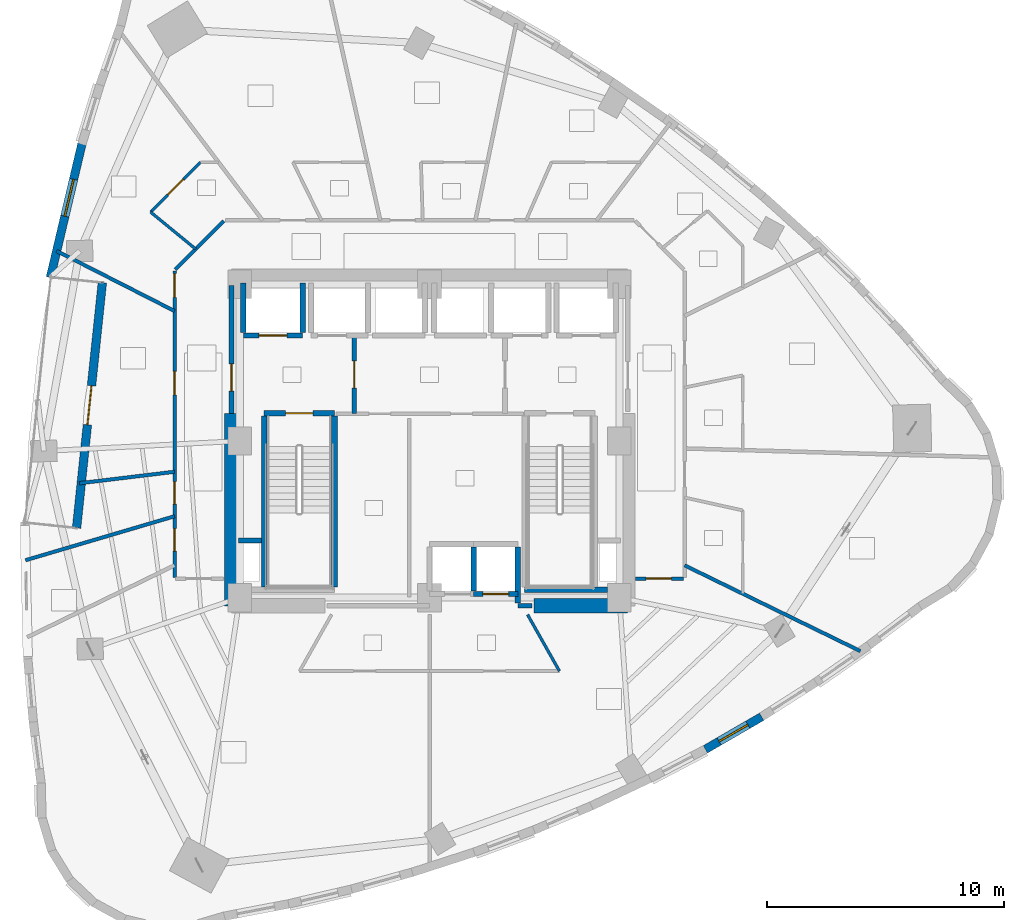
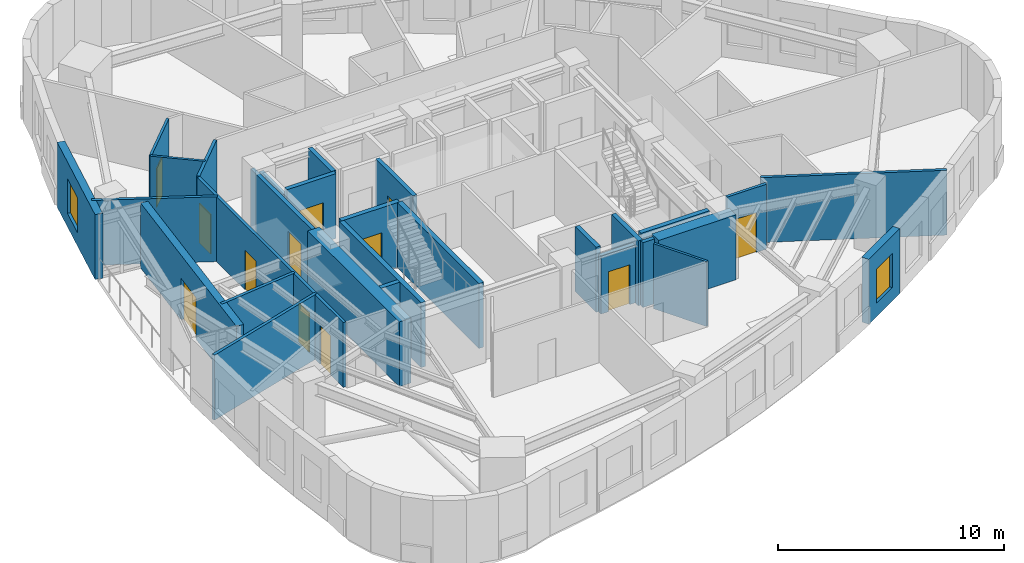
# One storey, part 6 of 12: 29 walls, 12 doors, 2 windows, 14 openings.
"""IFC4 building model written with IfcOpenShell, lengths in metres."""

import ifcopenshell
import ifcopenshell.guid

model = None  # the IFC model being written
_history = None  # IfcOwnerHistory: only IFC2X3 demands one
_inside = {}  # id of a spatial element -> (the spatial element, [elements in it])
_under = {}  # id of a project, library or spatial element -> (it, [spatial elements below it])
_declared = {}  # id of a project -> (the project, [libraries it declares])
_typed = {}  # id of a type object -> (the type object, [elements of that type])
_made_of = {}  # id of a material, layer set ... -> (it, [elements and type objects made of it])


def new_model(schema):
    """Start an empty IFC model of exactly this schema.

    Asked for "IFC4X3", IfcOpenShell would pick the latest addendum, in which some entities
    have other attributes; the version numbers below select the first issue.
    IFC2X3 requires an IfcOwnerHistory on every rooted entity: one is made here for all.
    """
    global model, _history
    if schema == "IFC4X3":
        model = ifcopenshell.file(schema_version=(4, 3, 0, 0))
    else:
        model = ifcopenshell.file(schema=schema)
    _inside.clear()
    _under.clear()
    _declared.clear()
    _typed.clear()
    _made_of.clear()
    _history = None
    if model.schema == "IFC2X3":
        org = make("IfcOrganization", Name="unknown")
        user = make(
            "IfcPersonAndOrganization",
            ThePerson=make("IfcPerson", FamilyName="unknown"),
            TheOrganization=org,
        )
        app = make(
            "IfcApplication",
            ApplicationDeveloper=org,
            Version="unknown",
            ApplicationFullName="unknown",
            ApplicationIdentifier="unknown",
        )
        _history = make(
            "IfcOwnerHistory",
            OwningUser=user,
            OwningApplication=app,
            ChangeAction="ADDED",
            CreationDate=0,
        )
    return model


def make(cls, **values):
    """One entity of the class cls with the attributes given. An attribute that is None is left unset."""
    return model.create_entity(
        cls, **{name: value for name, value in values.items() if value is not None}
    )


def rooted(cls, **values):
    """An entity with a GlobalId (a new one), such as an element, a storey or a relation."""
    return make(cls, GlobalId=ifcopenshell.guid.new(), OwnerHistory=_history, **values)


def si_unit(unit_type, name, prefix=None):
    """IfcSIUnit, for example si_unit("LENGTHUNIT", "METRE", prefix="MILLI")."""
    return make("IfcSIUnit", UnitType=unit_type, Prefix=prefix, Name=name)


def assignment(units):
    """IfcUnitAssignment: the units of a project."""
    return None if units is None else make("IfcUnitAssignment", Units=units)


def point(xyz):
    """IfcCartesianPoint."""
    return None if xyz is None else make("IfcCartesianPoint", Coordinates=xyz)


def direction(xyz):
    """IfcDirection."""
    return None if xyz is None else make("IfcDirection", DirectionRatios=xyz)


def frame(location, z_axis=None, x_axis=None):
    """IfcAxis2Placement3D, a coordinate frame: its origin and axes. An axis left out is left unset."""
    return make(
        "IfcAxis2Placement3D",
        Location=point(location),
        Axis=direction(z_axis),
        RefDirection=direction(x_axis),
    )


def frame_2d(location, x_axis=None):
    """IfcAxis2Placement2D, a coordinate frame in the plane: its origin and x axis."""
    return make(
        "IfcAxis2Placement2D", Location=point(location), RefDirection=direction(x_axis)
    )


def origin():
    """The frame at (0, 0, 0) with its axes left unset."""
    return frame((0.0, 0.0, 0.0))


def place(relative_to, where):
    """IfcLocalPlacement: puts the frame where relative to a parent placement (None: the world)."""
    return make(
        "IfcLocalPlacement", PlacementRelTo=relative_to, RelativePlacement=where
    )


def context(
    kind, dimensions, precision=None, world=None, true_north=None, identifier=None
):
    """IfcGeometricRepresentationContext, for example the 3D "Model" context."""
    return make(
        "IfcGeometricRepresentationContext",
        ContextIdentifier=identifier,
        ContextType=kind,
        CoordinateSpaceDimension=dimensions,
        Precision=precision,
        WorldCoordinateSystem=world,
        TrueNorth=true_north,
    )


def subcontext(parent, identifier, kind, view, scale=None):
    """IfcGeometricRepresentationSubContext, for example "Body" below "Model"."""
    return make(
        "IfcGeometricRepresentationSubContext",
        ContextIdentifier=identifier,
        ContextType=kind,
        ParentContext=parent,
        TargetScale=scale,
        TargetView=view,
    )


def project(units=None, contexts=None):
    """IfcProject with its units and contexts."""
    return rooted(
        "IfcProject",
        Name="project",
        RepresentationContexts=contexts,
        UnitsInContext=assignment(units),
    )


def spatial(cls, under=None, at=None, **own):
    """A site, building, storey or space (cls), placed at a placement, below another one or the project."""
    s = rooted(cls, ObjectPlacement=at, **own)
    if under is not None:
        _under.setdefault(under.id(), (under, []))[1].append(s)
    return s


def profile(cls, at=None, kind="AREA", **sizes):
    """A parametric profile (cls). Its sizes go by their IFC names, for example OverallWidth=200.0."""
    return make(cls, ProfileType=kind, Position=at, **sizes)


def rectangle(**sizes):
    """IfcRectangleProfileDef."""
    return profile("IfcRectangleProfileDef", **sizes)


def extrude(swept, where, along, depth):
    """IfcExtrudedAreaSolid: the profile swept, set in the frame where, extruded along a direction by depth."""
    return make(
        "IfcExtrudedAreaSolid",
        SweptArea=swept,
        Position=where,
        ExtrudedDirection=direction(along),
        Depth=depth,
    )


def shape(context_of_items, identifier, shape_type, items):
    """IfcShapeRepresentation: the items that make up one representation, for example the "Body"."""
    return make(
        "IfcShapeRepresentation",
        ContextOfItems=context_of_items,
        RepresentationIdentifier=identifier,
        RepresentationType=shape_type,
        Items=items,
    )


def material(Name=None, Category=None):
    """IfcMaterial."""
    return make("IfcMaterial", Name=Name, Category=Category)


def layer(
    of_material, thickness, ventilated=None, Name=None, Category=None, Priority=None
):
    """IfcMaterialLayer: one layer of a wall or slab, of a material (None: an air gap)."""
    return make(
        "IfcMaterialLayer",
        Material=of_material,
        LayerThickness=thickness,
        IsVentilated=ventilated,
        Name=Name,
        Category=Category,
        Priority=Priority,
    )


def layer_set(layers, Name=None):
    """IfcMaterialLayerSet."""
    return make("IfcMaterialLayerSet", MaterialLayers=layers, LayerSetName=Name)


def made_of(thing, what):
    """Note that an element or type object is made of a material, layer set ...; save() writes the relation."""
    if what is not None:
        _made_of.setdefault(what.id(), (what, []))[1].append(thing)
    return thing


def type_object(cls, material=None, **own):
    """A type object (cls), such as IfcWallType, which elements share."""
    return made_of(rooted(cls, **own), material)


def element(
    cls,
    number,
    at=None,
    inside=None,
    cuts=None,
    type_object=None,
    material=None,
    context=None,
    identifier="Body",
    shape_type=None,
    held_by="IfcProductDefinitionShape",
    body=None,
    shapes=None,
    **own,
):
    """One element of the class cls, such as IfcWall. Its Tag is "e" and its number.

    at: its placement. inside: the storey or other place that contains it. cuts: it is an
    opening in that element (IfcRelVoidsElement). A single representation is given by context,
    identifier, shape_type and body (its items); several are given by shapes. held_by: the class
    of the entity that holds the representations. save() writes the other relations.
    """
    e = rooted(cls, Tag="e%d" % number, ObjectPlacement=at, **own)
    if body is not None:
        shapes = [shape(context, identifier, shape_type, body)]
    if shapes is not None:
        e.Representation = make(held_by, Representations=shapes)
    if inside is not None:
        _inside.setdefault(inside.id(), (inside, []))[1].append(e)
    if cuts is not None:
        rooted(
            "IfcRelVoidsElement", RelatingBuildingElement=cuts, RelatedOpeningElement=e
        )
    if type_object is not None:
        _typed.setdefault(type_object.id(), (type_object, []))[1].append(e)
    return made_of(e, material)


def fill(opening, filler):
    """IfcRelFillsElement: the door or window that sits in an opening."""
    return rooted(
        "IfcRelFillsElement",
        RelatingOpeningElement=opening,
        RelatedBuildingElement=filler,
    )


def aggregate(whole, parts):
    """IfcRelAggregates: a whole, such as a stair, and the parts it consists of."""
    return rooted("IfcRelAggregates", RelatingObject=whole, RelatedObjects=parts)


def save(model, path):
    """Write the relations noted so far, then the file.

    IfcRelAggregates (storeys below a building ...), IfcRelContainedInSpatialStructure (elements
    in a storey), IfcRelDefinesByType, IfcRelAssociatesMaterial and IfcRelDeclares: one each for
    every whole, place, type object, material and project.
    """
    for whole, parts in _under.values():
        aggregate(whole, parts)
    for where, things in _inside.values():
        rooted(
            "IfcRelContainedInSpatialStructure",
            RelatedElements=things,
            RelatingStructure=where,
        )
    for kind, things in _typed.values():
        rooted("IfcRelDefinesByType", RelatedObjects=things, RelatingType=kind)
    for what, things in _made_of.values():
        rooted("IfcRelAssociatesMaterial", RelatedObjects=things, RelatingMaterial=what)
    for by, libraries in _declared.values():
        rooted("IfcRelDeclares", RelatingContext=by, RelatedDefinitions=libraries)
    model.write(path)


model = new_model("IFC4")

# Units and contexts
model_context = context("Model", 3, precision=1e-05, world=origin(), true_north=direction((0.0, 1.0)))
body_context = subcontext(model_context, "Body", "Model", "MODEL_VIEW")
ifc_project = project(units=[si_unit("LENGTHUNIT", "METRE"), si_unit("AREAUNIT", "SQUARE_METRE"), si_unit("VOLUMEUNIT", "CUBIC_METRE"), si_unit("PLANEANGLEUNIT", "RADIAN"), si_unit("MASSUNIT", "GRAM", prefix="KILO")], contexts=[model_context])

# Site, building, storey
site_placement = place(None, origin())
site = spatial("IfcSite", under=ifc_project, at=site_placement, CompositionType="ELEMENT")
building_placement = place(site_placement, origin())
building = spatial("IfcBuilding", under=site, at=building_placement, Name="Ndelora Gate Hotel", CompositionType="ELEMENT")
storey_placement = place(building_placement, frame((0.0, 0.0, 104.75)))
storey = spatial("IfcBuildingStorey", under=building, at=storey_placement, Name="L25", CompositionType="ELEMENT", Elevation=104.75)

# Wall, opening, door
ifc_material_1 = material(Name="Clay Brick Masonry", Category="masonry")
ifc_layer_1 = layer(ifc_material_1, 0.360107421875)
ifc_layer_set_1 = layer_set([ifc_layer_1], Name="Clay Brick Masonry")
wall_type_1 = type_object("IfcWallType", Name="WL-BRICK-360", PredefinedType="SOLIDWALL", material=ifc_layer_set_1)
wall_1_placement = place(storey_placement, frame((-14.880126953125, -3.664794921875, 0.0), z_axis=(0.0, 0.0, 1.0), x_axis=(0.104508820017, 0.994523959761, 0.0)))
wall_1 = element("IfcWall", 1, at=wall_1_placement, inside=storey, type_object=wall_type_1, Name="L25 Sky-Garden Loggia Rear Brick Wall", PredefinedType="SOLIDWALL", context=body_context, shape_type="SweptSolid", body=[
    extrude(rectangle(XDim=10.400146484375, YDim=0.360107421875, at=frame_2d((5.2001953125, 0.0))), origin(), (0.0, 0.0, 1.0), 3.5),
])
opening_1_placement = place(wall_1_placement, frame((4.375, 0.0, 0.0)))
opening_1 = element("IfcOpeningElement", 2, at=opening_1_placement, cuts=wall_1, Name="Opening TD1", PredefinedType="OPENING", context=body_context, shape_type="SweptSolid", body=[
    extrude(rectangle(XDim=1.64990234375, YDim=2.25, at=frame_2d((0.824951171875, 1.125))), frame((0.0, 0.18994140625, 0.0), z_axis=(0.0, -1.0, 0.0), x_axis=(1.0, 0.0, 0.0)), (0.0, 0.0, 1.0), 0.380126953125),
])
ifc_material_2 = material(Name="Architectural Bronze Glazed Door", Category="metal")
door_type_1 = type_object("IfcDoorType", Name="DR-TER-1650", OperationType="DOUBLE_DOOR_SINGLE_SWING", PredefinedType="DOOR", material=ifc_material_2)
door_1_placement = place(opening_1_placement, origin())
door_1 = element("IfcDoor", 3, at=door_1_placement, inside=storey, type_object=door_type_1, Name="L25 Sky-Garden Terrace Double Door TD1", OperationType="DOUBLE_DOOR_SINGLE_SWING", OverallHeight=2.25, OverallWidth=1.64990234375, PredefinedType="DOOR", context=body_context, shape_type="SweptSolid", body=[
    extrude(rectangle(XDim=1.64990234375, YDim=2.25, at=frame_2d((0.824951171875, 1.125))), frame((0.0, 0.02490234375, 0.0), z_axis=(0.0, -1.0, 0.0), x_axis=(1.0, 0.0, 0.0)), (0.0, 0.0, 1.0), 0.050048828125),
])
fill(opening_1, door_1)

# Wall, opening, window
wall_2_placement = place(storey_placement, frame((-15.98681640625, 6.884033203125, 0.0), z_axis=(0.0, 0.0, 1.0), x_axis=(0.229945366281, 0.973203539105, 0.0)))
wall_2 = element("IfcWall", 4, at=wall_2_placement, inside=storey, type_object=wall_type_1, Name="L25 Tower Brick Pier-and-Spandrel Wall TWR-11", PredefinedType="SOLIDWALL", context=body_context, shape_type="SweptSolid", body=[
    extrude(rectangle(XDim=5.826904296875, YDim=0.360107421875, at=frame_2d((2.91357421875, 0.0))), origin(), (0.0, 0.0, 1.0), 3.5),
])
opening_2_placement = place(wall_2_placement, frame((2.659912109375, 0.0, 0.719970703125)))
opening_2 = element("IfcOpeningElement", 5, at=opening_2_placement, cuts=wall_2, Name="Opening W01", PredefinedType="OPENING", context=body_context, shape_type="SweptSolid", body=[
    extrude(rectangle(XDim=1.60009765625, YDim=1.8798828125, at=frame_2d((0.800048828125, 0.93994140625))), frame((0.0, 0.18994140625, 0.0), z_axis=(0.0, -1.0, 0.0), x_axis=(1.0, 0.0, 0.0)), (0.0, 0.0, 1.0), 0.380126953125),
])
ifc_material_3 = material(Name="Insulated Low-E Double Glazing in Bronze Aluminium Frame", Category="aluminium")
window_type_1 = type_object("IfcWindowType", Name="WN-DEEP-1600", PartitioningType="SINGLE_PANEL", PredefinedType="WINDOW", material=ifc_material_3)
window_1_placement = place(opening_2_placement, origin())
window_1 = element("IfcWindow", 6, at=window_1_placement, inside=storey, type_object=window_type_1, Name="L25 Deep-Set Brick-Pier Window W01", OverallHeight=1.8798828125, OverallWidth=1.60009765625, PartitioningType="SINGLE_PANEL", PredefinedType="WINDOW", context=body_context, shape_type="SweptSolid", body=[
    extrude(rectangle(XDim=1.60009765625, YDim=1.8798828125, at=frame_2d((0.800048828125, 0.93994140625))), frame((0.0, 0.030029296875, 0.0), z_axis=(0.0, -1.0, 0.0), x_axis=(1.0, 0.0, 0.0)), (0.0, 0.0, 1.0), 0.06005859375),
])
fill(opening_2, window_1)

wall_3_placement = place(storey_placement, frame((14.00048828125, -11.62548828125, 0.0), z_axis=(0.0, 0.0, 1.0), x_axis=(-0.86542019342, -0.501046793044, 0.0)))
wall_3 = element("IfcWall", 7, at=wall_3_placement, inside=storey, type_object=wall_type_1, Name="L25 Tower Brick Pier-and-Spandrel Wall TWR-35", PredefinedType="SOLIDWALL", context=body_context, shape_type="SweptSolid", body=[
    extrude(rectangle(XDim=2.74365234375, YDim=0.360107421875, at=frame_2d((1.371826171875, 0.0))), origin(), (0.0, 0.0, 1.0), 3.5),
])
opening_3_placement = place(wall_3_placement, frame((0.672119140625, 0.0, 0.719970703125)))
opening_3 = element("IfcOpeningElement", 8, at=opening_3_placement, cuts=wall_3, Name="Opening W02", PredefinedType="OPENING", context=body_context, shape_type="SweptSolid", body=[
    extrude(rectangle(XDim=1.39990234375, YDim=1.840087890625, at=frame_2d((0.699951171875, 0.919921875))), frame((0.0, 0.18994140625, 0.0), z_axis=(0.0, -1.0, 0.0), x_axis=(1.0, 0.0, 0.0)), (0.0, 0.0, 1.0), 0.380126953125),
])
window_type_2 = type_object("IfcWindowType", Name="WN-DEEP-1400", PartitioningType="SINGLE_PANEL", PredefinedType="WINDOW", material=ifc_material_3)
window_2_placement = place(opening_3_placement, origin())
window_2 = element("IfcWindow", 9, at=window_2_placement, inside=storey, type_object=window_type_2, Name="L25 Deep-Set Brick-Pier Window W02", OverallHeight=1.840087890625, OverallWidth=1.39990234375, PartitioningType="SINGLE_PANEL", PredefinedType="WINDOW", context=body_context, shape_type="SweptSolid", body=[
    extrude(rectangle(XDim=1.39990234375, YDim=1.840087890625, at=frame_2d((0.699951171875, 0.919921875))), frame((0.0, 0.030029296875, 0.0), z_axis=(0.0, -1.0, 0.0), x_axis=(1.0, 0.0, 0.0)), (0.0, 0.0, 1.0), 0.06005859375),
])
fill(opening_3, window_2)

# Walls
ifc_material_4 = material(Name="Concrete C60/75", Category="concrete")
ifc_layer_2 = layer(ifc_material_4, 0.60009765625)
ifc_layer_set_2 = layer_set([ifc_layer_2], Name="Concrete C60/75")
wall_type_2 = type_object("IfcWallType", Name="WL-CORE-600", PredefinedType="SHEAR", material=ifc_layer_set_2)
wall_4_placement = place(storey_placement, frame((4.39990234375, -6.949951171875, 0.0), z_axis=(0.0, 0.0, 1.0), x_axis=(1.0, 0.0, 0.0)))
element("IfcWall", 10, at=wall_4_placement, inside=storey, type_object=wall_type_2, Name="L25 Core Shear Wall S-E", PredefinedType="SHEAR", context=body_context, shape_type="SweptSolid", body=[
    extrude(rectangle(XDim=3.9501953125, YDim=0.60009765625, at=frame_2d((1.97509765625, 0.0))), origin(), (0.0, 0.0, 1.0), 3.5),
])
wall_5_placement = place(storey_placement, frame((-8.35009765625, -6.949951171875, 0.0), z_axis=(0.0, 0.0, 1.0), x_axis=(0.0, 1.0, 0.0)))
element("IfcWall", 11, at=wall_5_placement, inside=storey, type_object=wall_type_2, Name="L25 Core Shear Wall W", PredefinedType="SHEAR", context=body_context, shape_type="SweptSolid", body=[
    extrude(rectangle(XDim=8.099853515625, YDim=0.60009765625, at=frame_2d((4.0498046875, 0.0))), origin(), (0.0, 0.0, 1.0), 3.5),
])

# Wall, opening, door
ifc_material_5 = material(Name="Concrete C40/50", Category="concrete")
ifc_layer_3 = layer(ifc_material_5, 0.199951171875)
ifc_layer_set_3 = layer_set([ifc_layer_3], Name="Concrete C40/50")
wall_type_3 = type_object("IfcWallType", Name="WL-FIRE-200", PredefinedType="PARTITIONING", material=ifc_layer_set_3)
wall_6_placement = place(storey_placement, frame((-3.179931640625, 1.14990234375, 0.0), z_axis=(0.0, 0.0, 1.0), x_axis=(0.0, 1.0, 0.0)))
wall_6 = element("IfcWall", 12, at=wall_6_placement, inside=storey, type_object=wall_type_3, Name="L25 Interior Wall IW-2", PredefinedType="PARTITIONING", context=body_context, shape_type="SweptSolid", body=[
    extrude(rectangle(XDim=3.300048828125, YDim=0.199951171875, at=frame_2d((1.64990234375, 0.0))), origin(), (0.0, 0.0, 1.0), 3.5),
])
opening_4_placement = place(wall_6_placement, frame((1.080078125, 0.0, 0.0)))
opening_4 = element("IfcOpeningElement", 13, at=opening_4_placement, cuts=wall_6, Name="Opening FD1", PredefinedType="OPENING", context=body_context, shape_type="SweptSolid", body=[
    extrude(rectangle(XDim=1.14990234375, YDim=2.14990234375, at=frame_2d((0.574951171875, 1.074951171875))), frame((0.0, 0.10986328125, 0.0), z_axis=(0.0, -1.0, 0.0), x_axis=(1.0, 0.0, 0.0)), (0.0, 0.0, 1.0), 0.219970703125),
])
ifc_material_6 = material(Name="Fire-Rated Timber-Veneer Steel Core", Category="steel")
door_type_2 = type_object("IfcDoorType", Name="DR-FD60", OperationType="SINGLE_SWING_LEFT", PredefinedType="DOOR", material=ifc_material_6)
door_2_placement = place(opening_4_placement, origin())
door_2 = element("IfcDoor", 14, at=door_2_placement, inside=storey, type_object=door_type_2, Name="L25 Firefighting Lobby West Door", OperationType="SINGLE_SWING_RIGHT", OverallHeight=2.14990234375, OverallWidth=1.14990234375, PredefinedType="DOOR", context=body_context, shape_type="SweptSolid", body=[
    extrude(rectangle(XDim=1.14990234375, YDim=2.14990234375, at=frame_2d((0.574951171875, 1.074951171875))), frame((0.0, 0.02490234375, 0.0), z_axis=(0.0, -1.0, 0.0), x_axis=(1.0, 0.0, 0.0)), (0.0, 0.0, 1.0), 0.050048828125),
])
fill(opening_4, door_2)

wall_7_placement = place(storey_placement, frame((-8.35009765625, 1.14990234375, 0.0), z_axis=(0.0, 0.0, 1.0), x_axis=(0.0, 1.0, 0.0)))
wall_7 = element("IfcWall", 15, at=wall_7_placement, inside=storey, type_object=wall_type_3, Name="L25 Interior Wall IW-2", PredefinedType="PARTITIONING", context=body_context, shape_type="SweptSolid", body=[
    extrude(rectangle(XDim=5.400146484375, YDim=0.199951171875, at=frame_2d((2.7001953125, 0.0))), origin(), (0.0, 0.0, 1.0), 3.5),
])
opening_5_placement = place(wall_7_placement, frame((0.949951171875, 0.0, 0.0)))
opening_5 = element("IfcOpeningElement", 16, at=opening_5_placement, cuts=wall_7, Name="Opening FD1", PredefinedType="OPENING", context=body_context, shape_type="SweptSolid", body=[
    extrude(rectangle(XDim=1.14990234375, YDim=2.14990234375, at=frame_2d((0.574951171875, 1.074951171875))), frame((0.0, 0.10986328125, 0.0), z_axis=(0.0, -1.0, 0.0), x_axis=(1.0, 0.0, 0.0)), (0.0, 0.0, 1.0), 0.219970703125),
])
door_3_placement = place(opening_5_placement, origin())
door_3 = element("IfcDoor", 17, at=door_3_placement, inside=storey, type_object=door_type_2, Name="L25 Firefighting Lobby West Corridor Door", OperationType="SINGLE_SWING_LEFT", OverallHeight=2.14990234375, OverallWidth=1.14990234375, PredefinedType="DOOR", context=body_context, shape_type="SweptSolid", body=[
    extrude(rectangle(XDim=1.14990234375, YDim=2.14990234375, at=frame_2d((0.574951171875, 1.074951171875))), frame((0.0, 0.02490234375, 0.0), z_axis=(0.0, -1.0, 0.0), x_axis=(1.0, 0.0, 0.0)), (0.0, 0.0, 1.0), 0.050048828125),
])
fill(opening_5, door_3)

# Wall
wall_8_placement = place(storey_placement, frame((3.719970703125, -6.949951171875, 0.0), z_axis=(0.0, 0.0, 1.0), x_axis=(1.0, 0.0, 0.0)))
element("IfcWall", 18, at=wall_8_placement, inside=storey, type_object=wall_type_3, Name="L25 Interior Wall IW-2", PredefinedType="PARTITIONING", context=body_context, shape_type="SweptSolid", body=[
    extrude(rectangle(XDim=0.60009765625, YDim=0.199951171875, at=frame_2d((0.300048828125, 0.0))), origin(), (0.0, 0.0, 1.0), 3.5),
])

# Wall, opening, door
ifc_material_7 = material(Name="Fire-Rated Gypsum Stud Partition", Category="gypsum")
ifc_layer_4 = layer(ifc_material_7, 0.14990234375)
ifc_layer_set_4 = layer_set([ifc_layer_4], Name="Fire-Rated Gypsum Stud Partition")
wall_type_4 = type_object("IfcWallType", Name="WL-PART-150", PredefinedType="PARTITIONING", material=ifc_layer_set_4)
wall_9_placement = place(storey_placement, frame((10.7099609375, -5.800048828125, 0.0), z_axis=(0.0, 0.0, 1.0), x_axis=(-1.0, 0.0, 0.0)))
wall_9 = element("IfcWall", 19, at=wall_9_placement, inside=storey, type_object=wall_type_4, Name="L25 Interior Wall IW-5", PredefinedType="PARTITIONING", context=body_context, shape_type="SweptSolid", body=[
    extrude(rectangle(XDim=2.02001953125, YDim=0.14990234375, at=frame_2d((1.010009765625, 0.0))), origin(), (0.0, 0.0, 1.0), 3.5),
])
opening_6_placement = place(wall_9_placement, frame((0.52001953125, 0.0, 0.0)))
opening_6 = element("IfcOpeningElement", 20, at=opening_6_placement, cuts=wall_9, Name="Opening D07", PredefinedType="OPENING", context=body_context, shape_type="SweptSolid", body=[
    extrude(rectangle(XDim=1.06005859375, YDim=2.14990234375, at=frame_2d((0.530029296875, 1.074951171875))), frame((0.0, 0.0849609375, 0.0), z_axis=(0.0, -1.0, 0.0), x_axis=(1.0, 0.0, 0.0)), (0.0, 0.0, 1.0), 0.169921875),
])
ifc_material_8 = material(Name="Diplomatic Suite Acoustic Entrance Door", Category="wood")
door_type_3 = type_object("IfcDoorType", Name="DR-SUITE-1060", OperationType="SINGLE_SWING_LEFT", PredefinedType="DOOR", material=ifc_material_8)
door_4_placement = place(opening_6_placement, origin())
door_4 = element("IfcDoor", 21, at=door_4_placement, inside=storey, type_object=door_type_3, Name="L25 Club Twin Corner Suite 2802 Entrance Door", OperationType="SINGLE_SWING_RIGHT", OverallHeight=2.14990234375, OverallWidth=1.06005859375, PredefinedType="DOOR", context=body_context, shape_type="SweptSolid", body=[
    extrude(rectangle(XDim=1.06005859375, YDim=2.14990234375, at=frame_2d((0.530029296875, 1.074951171875))), frame((0.0, 0.02490234375, 0.0), z_axis=(0.0, -1.0, 0.0), x_axis=(1.0, 0.0, 0.0)), (0.0, 0.0, 1.0), 0.050048828125),
])
fill(opening_6, door_4)

# Wall
wall_10_placement = place(storey_placement, frame((-10.7216796875, 7.228271484375, 0.0), z_axis=(0.0, 0.0, 1.0), x_axis=(0.707106781187, 0.707106781187, 0.0)))
element("IfcWall", 22, at=wall_10_placement, inside=storey, type_object=wall_type_4, Name="L25 Interior Wall IW-5", PredefinedType="PARTITIONING", context=body_context, shape_type="SweptSolid", body=[
    extrude(rectangle(XDim=2.889892578125, YDim=0.14990234375, at=frame_2d((1.44482421875, 0.0))), origin(), (0.0, 0.0, 1.0), 3.5),
])

# Wall, openings, doors
wall_11_placement = place(storey_placement, frame((-10.75, -5.760009765625, 0.0), z_axis=(0.0, 0.0, 1.0), x_axis=(0.0, 1.0, 0.0)))
wall_11 = element("IfcWall", 23, at=wall_11_placement, inside=storey, type_object=wall_type_4, Name="L25 Interior Wall IW-5", PredefinedType="PARTITIONING", context=body_context, shape_type="SweptSolid", body=[
    extrude(rectangle(XDim=12.919921875, YDim=0.14990234375, at=frame_2d((6.4599609375, 0.0))), origin(), (0.0, 0.0, 1.0), 3.5),
])
opening_7_placement = place(wall_11_placement, frame((3.096435546875, 0.0, 0.0)))
opening_7 = element("IfcOpeningElement", 24, at=opening_7_placement, cuts=wall_11, Name="Opening D05", PredefinedType="OPENING", context=body_context, shape_type="SweptSolid", body=[
    extrude(rectangle(XDim=0.949951171875, YDim=2.10009765625, at=frame_2d((0.47509765625, 1.050048828125))), frame((0.0, 0.0849609375, 0.0), z_axis=(0.0, -1.0, 0.0), x_axis=(1.0, 0.0, 0.0)), (0.0, 0.0, 1.0), 0.169921875),
])
opening_8_placement = place(wall_11_placement, frame((1.1181640625, 0.0, 0.0)))
opening_8 = element("IfcOpeningElement", 25, at=opening_8_placement, cuts=wall_11, Name="Opening D05", PredefinedType="OPENING", context=body_context, shape_type="SweptSolid", body=[
    extrude(rectangle(XDim=0.949951171875, YDim=2.10009765625, at=frame_2d((0.47509765625, 1.050048828125))), frame((0.0, 0.0849609375, 0.0), z_axis=(0.0, -1.0, 0.0), x_axis=(1.0, 0.0, 0.0)), (0.0, 0.0, 1.0), 0.169921875),
])
opening_9_placement = place(wall_11_placement, frame((7.69921875, 0.0, 0.0)))
opening_9 = element("IfcOpeningElement", 26, at=opening_9_placement, cuts=wall_11, Name="Opening D01", PredefinedType="OPENING", context=body_context, shape_type="SweptSolid", body=[
    extrude(rectangle(XDim=1.0, YDim=2.14990234375, at=frame_2d((0.5, 1.074951171875))), frame((0.0, 0.0849609375, 0.0), z_axis=(0.0, -1.0, 0.0), x_axis=(1.0, 0.0, 0.0)), (0.0, 0.0, 1.0), 0.169921875),
])
opening_10_placement = place(wall_11_placement, frame((11.818603515625, 0.0, 0.0)))
opening_10 = element("IfcOpeningElement", 27, at=opening_10_placement, cuts=wall_11, Name="Opening D01", PredefinedType="OPENING", context=body_context, shape_type="SweptSolid", body=[
    extrude(rectangle(XDim=1.0, YDim=2.14990234375, at=frame_2d((0.5, 1.074951171875))), frame((0.0, 0.0849609375, 0.0), z_axis=(0.0, -1.0, 0.0), x_axis=(1.0, 0.0, 0.0)), (0.0, 0.0, 1.0), 0.169921875),
])
ifc_material_9 = material(Name="Accessible Restroom Wide-Clearance Door", Category="wood")
door_type_4 = type_object("IfcDoorType", Name="DR-ACC-950", OperationType="SINGLE_SWING_LEFT", PredefinedType="DOOR", material=ifc_material_9)
door_5_placement = place(opening_7_placement, origin())
door_5 = element("IfcDoor", 28, at=door_5_placement, inside=storey, type_object=door_type_4, Name="L25 Accessible WC Entrance Door", OperationType="SINGLE_SWING_RIGHT", OverallHeight=2.10009765625, OverallWidth=0.949951171875, PredefinedType="DOOR", context=body_context, shape_type="SweptSolid", body=[
    extrude(rectangle(XDim=0.949951171875, YDim=2.10009765625, at=frame_2d((0.47509765625, 1.050048828125))), frame((0.0, 0.02490234375, 0.0), z_axis=(0.0, -1.0, 0.0), x_axis=(1.0, 0.0, 0.0)), (0.0, 0.0, 1.0), 0.050048828125),
])
fill(opening_7, door_5)
door_6_placement = place(opening_8_placement, origin())
door_6 = element("IfcDoor", 29, at=door_6_placement, inside=storey, type_object=door_type_4, Name="L25 Female Public Restroom Entrance Door", OperationType="SINGLE_SWING_LEFT", OverallHeight=2.10009765625, OverallWidth=0.949951171875, PredefinedType="DOOR", context=body_context, shape_type="SweptSolid", body=[
    extrude(rectangle(XDim=0.949951171875, YDim=2.10009765625, at=frame_2d((0.47509765625, 1.050048828125))), frame((0.0, 0.02490234375, 0.0), z_axis=(0.0, -1.0, 0.0), x_axis=(1.0, 0.0, 0.0)), (0.0, 0.0, 1.0), 0.050048828125),
])
fill(opening_8, door_6)
ifc_material_10 = material(Name="Acoustic Hardwood Guest Entrance Door", Category="wood")
door_type_5 = type_object("IfcDoorType", Name="DR-COR-1000", OperationType="SINGLE_SWING_LEFT", PredefinedType="DOOR", material=ifc_material_10)
door_7_placement = place(opening_9_placement, origin())
door_7 = element("IfcDoor", 30, at=door_7_placement, inside=storey, type_object=door_type_5, Name="L25 Sky Garden Tea Dining Room Entrance Door", OperationType="SINGLE_SWING_LEFT", OverallHeight=2.14990234375, OverallWidth=1.0, PredefinedType="DOOR", context=body_context, shape_type="SweptSolid", body=[
    extrude(rectangle(XDim=1.0, YDim=2.14990234375, at=frame_2d((0.5, 1.074951171875))), frame((0.0, 0.02490234375, 0.0), z_axis=(0.0, -1.0, 0.0), x_axis=(1.0, 0.0, 0.0)), (0.0, 0.0, 1.0), 0.050048828125),
])
fill(opening_9, door_7)
door_8_placement = place(opening_10_placement, origin())
door_8 = element("IfcDoor", 31, at=door_8_placement, inside=storey, type_object=door_type_5, Name="L25 Club King Guest Room 2809 Entrance Door", OperationType="SINGLE_SWING_LEFT", OverallHeight=2.14990234375, OverallWidth=1.0, PredefinedType="DOOR", context=body_context, shape_type="SweptSolid", body=[
    extrude(rectangle(XDim=1.0, YDim=2.14990234375, at=frame_2d((0.5, 1.074951171875))), frame((0.0, 0.02490234375, 0.0), z_axis=(0.0, -1.0, 0.0), x_axis=(1.0, 0.0, 0.0)), (0.0, 0.0, 1.0), 0.050048828125),
])
fill(opening_10, door_8)

# Walls
wall_12_placement = place(storey_placement, frame((10.75, -5.2431640625, 0.0), z_axis=(0.0, 0.0, 1.0), x_axis=(0.898792044872, -0.4383752503, 0.0)))
element("IfcWall", 32, at=wall_12_placement, inside=storey, type_object=wall_type_4, Name="L25 Interior Wall IW-5", PredefinedType="PARTITIONING", context=body_context, shape_type="SweptSolid", body=[
    extrude(rectangle(XDim=8.251953125, YDim=0.14990234375, at=frame_2d((4.1259765625, 0.0))), origin(), (0.0, 0.0, 1.0), 3.5),
])
wall_13_placement = place(storey_placement, frame((-10.75, 5.478271484375, 0.0), z_axis=(0.0, 0.0, 1.0), x_axis=(-0.890978705021, 0.454045093796, 0.0)))
element("IfcWall", 33, at=wall_13_placement, inside=storey, type_object=wall_type_4, Name="L25 Interior Wall IW-5", PredefinedType="PARTITIONING", context=body_context, shape_type="SweptSolid", body=[
    extrude(rectangle(XDim=5.57861328125, YDim=0.14990234375, at=frame_2d((2.789306640625, 0.0))), origin(), (0.0, 0.0, 1.0), 3.5),
])
wall_14_placement = place(storey_placement, frame((-10.75, -1.2978515625, 0.0), z_axis=(0.0, 0.0, 1.0), x_axis=(-0.992792513818, -0.119845836422, 0.0)))
element("IfcWall", 34, at=wall_14_placement, inside=storey, type_object=wall_type_4, Name="L25 Interior Wall IW-5", PredefinedType="PARTITIONING", context=body_context, shape_type="SweptSolid", body=[
    extrude(rectangle(XDim=4.03955078125, YDim=0.14990234375, at=frame_2d((2.019775390625, 0.0))), origin(), (0.0, 0.0, 1.0), 3.5),
])
wall_15_placement = place(storey_placement, frame((-10.75, -3.172607421875, 0.0), z_axis=(0.0, 0.0, 1.0), x_axis=(-0.959115252186, -0.283015782288, 0.0)))
element("IfcWall", 35, at=wall_15_placement, inside=storey, type_object=wall_type_4, Name="L25 Interior Wall IW-5", PredefinedType="PARTITIONING", context=body_context, shape_type="SweptSolid", body=[
    extrude(rectangle(XDim=6.550048828125, YDim=0.14990234375, at=frame_2d((3.27490234375, 0.0))), origin(), (0.0, 0.0, 1.0), 3.5),
])
ifc_layer_5 = layer(ifc_material_5, 0.219970703125)
ifc_layer_set_5 = layer_set([ifc_layer_5], Name="Concrete C40/50")
wall_type_5 = type_object("IfcWallType", Name="WL-SHAFT-220", PredefinedType="PARTITIONING", material=ifc_layer_set_5)
wall_16_placement = place(storey_placement, frame((-8.050048828125, -4.199951171875, 0.0), z_axis=(0.0, 0.0, 1.0), x_axis=(1.0, 0.0, 0.0)))
element("IfcWall", 36, at=wall_16_placement, inside=storey, type_object=wall_type_5, Name="L25 Interior Wall IW-1", PredefinedType="PARTITIONING", context=body_context, shape_type="SweptSolid", body=[
    extrude(rectangle(XDim=0.9599609375, YDim=0.219970703125, at=frame_2d((0.47998046875, 0.0))), origin(), (0.0, 0.0, 1.0), 3.5),
])

# Wall, opening, door
wall_17_placement = place(storey_placement, frame((-7.85009765625, 4.449951171875, 0.0), z_axis=(0.0, 0.0, 1.0), x_axis=(1.0, 0.0, 0.0)))
wall_17 = element("IfcWall", 37, at=wall_17_placement, inside=storey, type_object=wall_type_5, Name="L25 Interior Wall IW-1", PredefinedType="PARTITIONING", context=body_context, shape_type="SweptSolid", body=[
    extrude(rectangle(XDim=2.5, YDim=0.219970703125, at=frame_2d((1.25, 0.0))), origin(), (0.0, 0.0, 1.0), 3.5),
])
opening_11_placement = place(wall_17_placement, frame((0.659912109375, 0.0, 0.0)))
opening_11 = element("IfcOpeningElement", 38, at=opening_11_placement, cuts=wall_17, Name="Opening LD5", PredefinedType="OPENING", context=body_context, shape_type="SweptSolid", body=[
    extrude(rectangle(XDim=1.179931640625, YDim=2.14990234375, at=frame_2d((0.58984375, 1.074951171875))), frame((0.0, 0.1201171875, 0.0), z_axis=(0.0, -1.0, 0.0), x_axis=(1.0, 0.0, 0.0)), (0.0, 0.0, 1.0), 0.239990234375),
])
ifc_material_11 = material(Name="Firefighting Lift Stainless Sliding Landing Door", Category="metal")
door_type_6 = type_object("IfcDoorType", Name="DR-LD5", OperationType="DOUBLE_DOOR_SLIDING", PredefinedType="DOOR", material=ifc_material_11)
door_9_placement = place(opening_11_placement, origin())
door_9 = element("IfcDoor", 39, at=door_9_placement, inside=storey, type_object=door_type_6, Name="L25 Lift Landing Sliding Door FFL1", OperationType="DOUBLE_DOOR_SLIDING", OverallHeight=2.14990234375, OverallWidth=1.179931640625, PredefinedType="DOOR", context=body_context, shape_type="SweptSolid", body=[
    extrude(rectangle(XDim=1.179931640625, YDim=2.14990234375, at=frame_2d((0.58984375, 1.074951171875))), frame((0.0, 0.02490234375, 0.0), z_axis=(0.0, -1.0, 0.0), x_axis=(1.0, 0.0, 0.0)), (0.0, 0.0, 1.0), 0.050048828125),
])
fill(opening_11, door_9)

# Walls
wall_18_placement = place(storey_placement, frame((-7.85009765625, 4.570068359375, 0.0), z_axis=(0.0, 0.0, 1.0), x_axis=(0.0, 1.0, 0.0)))
element("IfcWall", 40, at=wall_18_placement, inside=storey, type_object=wall_type_5, Name="L25 Interior Wall IW-1", PredefinedType="PARTITIONING", context=body_context, shape_type="SweptSolid", body=[
    extrude(rectangle(XDim=2.079833984375, YDim=0.219970703125, at=frame_2d((1.0400390625, 0.0))), origin(), (0.0, 0.0, 1.0), 3.1201171875),
])
wall_19_placement = place(storey_placement, frame((-5.35009765625, 4.570068359375, 0.0), z_axis=(0.0, 0.0, 1.0), x_axis=(0.0, 1.0, 0.0)))
element("IfcWall", 41, at=wall_19_placement, inside=storey, type_object=wall_type_5, Name="L25 Interior Wall IW-1", PredefinedType="PARTITIONING", context=body_context, shape_type="SweptSolid", body=[
    extrude(rectangle(XDim=2.079833984375, YDim=0.219970703125, at=frame_2d((1.0400390625, 0.0))), origin(), (0.0, 0.0, 1.0), 3.5),
])
wall_20_placement = place(storey_placement, frame((1.860107421875, -6.330078125, 0.0), z_axis=(0.0, 0.0, 1.0), x_axis=(0.0, 1.0, 0.0)))
element("IfcWall", 42, at=wall_20_placement, inside=storey, type_object=wall_type_5, Name="L25 Interior Wall IW-1", PredefinedType="PARTITIONING", context=body_context, shape_type="SweptSolid", body=[
    extrude(rectangle(XDim=1.860107421875, YDim=0.219970703125, at=frame_2d((0.93017578125, 0.0))), origin(), (0.0, 0.0, 1.0), 3.5),
])

# Wall, opening, door
wall_21_placement = place(storey_placement, frame((1.860107421875, -6.449951171875, 0.0), z_axis=(0.0, 0.0, 1.0), x_axis=(1.0, 0.0, 0.0)))
wall_21 = element("IfcWall", 43, at=wall_21_placement, inside=storey, type_object=wall_type_5, Name="L25 Interior Wall IW-1", PredefinedType="PARTITIONING", context=body_context, shape_type="SweptSolid", body=[
    extrude(rectangle(XDim=1.85986328125, YDim=0.219970703125, at=frame_2d((0.929931640625, 0.0))), origin(), (0.0, 0.0, 1.0), 3.1201171875),
])
opening_12_placement = place(wall_21_placement, frame((0.389892578125, 0.0, 0.0)))
opening_12 = element("IfcOpeningElement", 44, at=opening_12_placement, cuts=wall_21, Name="Opening LD2", PredefinedType="OPENING", context=body_context, shape_type="SweptSolid", body=[
    extrude(rectangle(XDim=1.080078125, YDim=2.14990234375, at=frame_2d((0.5400390625, 1.074951171875))), frame((0.0, 0.1201171875, 0.0), z_axis=(0.0, -1.0, 0.0), x_axis=(1.0, 0.0, 0.0)), (0.0, 0.0, 1.0), 0.239990234375),
])
ifc_material_12 = material(Name="Brushed Bronze Stainless Lift Landing Door", Category="metal")
door_type_7 = type_object("IfcDoorType", Name="DR-LD2", OperationType="DOUBLE_DOOR_SLIDING", PredefinedType="DOOR", material=ifc_material_12)
door_10_placement = place(opening_12_placement, origin())
door_10 = element("IfcDoor", 45, at=door_10_placement, inside=storey, type_object=door_type_7, Name="L25 Lift Landing Sliding Door P2B", OperationType="DOUBLE_DOOR_SLIDING", OverallHeight=2.14990234375, OverallWidth=1.080078125, PredefinedType="DOOR", context=body_context, shape_type="SweptSolid", body=[
    extrude(rectangle(XDim=1.080078125, YDim=2.14990234375, at=frame_2d((0.5400390625, 1.074951171875))), frame((0.0, 0.02490234375, 0.0), z_axis=(0.0, -1.0, 0.0), x_axis=(1.0, 0.0, 0.0)), (0.0, 0.0, 1.0), 0.050048828125),
])
fill(opening_12, door_10)

# Walls
wall_22_placement = place(storey_placement, frame((3.719970703125, -6.830078125, 0.0), z_axis=(0.0, 0.0, 1.0), x_axis=(0.0, 1.0, 0.0)))
element("IfcWall", 46, at=wall_22_placement, inside=storey, type_object=wall_type_5, Name="L25 Interior Wall IW-1", PredefinedType="PARTITIONING", context=body_context, shape_type="SweptSolid", body=[
    extrude(rectangle(XDim=2.360107421875, YDim=0.219970703125, at=frame_2d((1.18017578125, 0.0))), origin(), (0.0, 0.0, 1.0), 3.5),
])
ifc_material_13 = material(Name="Concrete C50/60", Category="concrete")
ifc_layer_6 = layer(ifc_material_13, 0.239990234375)
ifc_layer_set_6 = layer_set([ifc_layer_6], Name="Concrete C50/60")
wall_type_6 = type_object("IfcWallType", Name="WL-STAIR-240", PredefinedType="SHEAR", material=ifc_layer_set_6)
for number, where, z_axis, x_axis, name in (
    (47, (-6.969970703125, -6.159912109375, 0.0), (0.0, 0.0, 1.0), (0.0, 1.0, 0.0), "L25 Stair Core Shear Wall SW-ST"),
    (48, (-4.010009765625, -6.159912109375, 0.0), (0.0, 0.0, 1.0), (0.0, 1.0, 0.0), "L25 Stair Core Shear Wall SW-ST"),
):
    element("IfcWall", number, at=place(storey_placement, frame(where, z_axis=z_axis, x_axis=x_axis)), inside=storey, type_object=wall_type_6, Name=name, PredefinedType="SHEAR", context=body_context, shape_type="SweptSolid", body=[
        extrude(rectangle(XDim=7.219970703125, YDim=0.239990234375, at=frame_2d((3.60986328125, 0.0))), origin(), (0.0, 0.0, 1.0), 3.5),
    ])

# Wall, opening, door
wall_23_placement = place(storey_placement, frame((-6.969970703125, 1.169921875, 0.0), z_axis=(0.0, 0.0, 1.0), x_axis=(1.0, 0.0, 0.0)))
wall_23 = element("IfcWall", 49, at=wall_23_placement, inside=storey, type_object=wall_type_6, Name="L25 Stair Core Shear Wall SW-ST", PredefinedType="SHEAR", context=body_context, shape_type="SweptSolid", body=[
    extrude(rectangle(XDim=2.9599609375, YDim=0.239990234375, at=frame_2d((1.47998046875, 0.0))), origin(), (0.0, 0.0, 1.0), 3.5),
])
opening_13_placement = place(wall_23_placement, frame((0.89990234375, 0.0, 0.0)))
opening_13 = element("IfcOpeningElement", 50, at=opening_13_placement, cuts=wall_23, Name="Opening FD1", PredefinedType="OPENING", context=body_context, shape_type="SweptSolid", body=[
    extrude(rectangle(XDim=1.14990234375, YDim=2.14990234375, at=frame_2d((0.574951171875, 1.074951171875))), frame((0.0, 0.1298828125, 0.0), z_axis=(0.0, -1.0, 0.0), x_axis=(1.0, 0.0, 0.0)), (0.0, 0.0, 1.0), 0.260009765625),
])
door_11_placement = place(opening_13_placement, origin())
door_11 = element("IfcDoor", 51, at=door_11_placement, inside=storey, type_object=door_type_2, Name="L25 Exit Stair ST4 Door", OperationType="SINGLE_SWING_LEFT", OverallHeight=2.14990234375, OverallWidth=1.14990234375, PredefinedType="DOOR", context=body_context, shape_type="SweptSolid", body=[
    extrude(rectangle(XDim=1.14990234375, YDim=2.14990234375, at=frame_2d((0.574951171875, 1.074951171875))), frame((0.0, 0.02490234375, 0.0), z_axis=(0.0, -1.0, 0.0), x_axis=(1.0, 0.0, 0.0)), (0.0, 0.0, 1.0), 0.050048828125),
])
fill(opening_13, door_11)

# Walls
wall_24_placement = place(storey_placement, frame((4.010009765625, -6.27001953125, 0.0), z_axis=(0.0, 0.0, 1.0), x_axis=(1.0, 0.0, 0.0)))
element("IfcWall", 52, at=wall_24_placement, inside=storey, type_object=wall_type_6, Name="L25 Stair Core Shear Wall SW-ST", PredefinedType="SHEAR", context=body_context, shape_type="SweptSolid", body=[
    extrude(rectangle(XDim=3.489990234375, YDim=0.239990234375, at=frame_2d((1.7451171875, 0.0))), origin(), (0.0, 0.0, 1.0), 3.5),
])
ifc_material_14 = material(Name="Moisture-Resistant Bathroom Tile Partition", Category="gypsum")
ifc_layer_7 = layer(ifc_material_14, 0.1201171875)
ifc_layer_set_7 = layer_set([ifc_layer_7], Name="Moisture-Resistant Bathroom Tile Partition")
wall_type_7 = type_object("IfcWallType", Name="WL-WET-120", PredefinedType="PARTITIONING", material=ifc_layer_set_7)
wall_25_placement = place(storey_placement, frame((4.13134765625, -7.320068359375, 0.0), z_axis=(0.0, 0.0, 1.0), x_axis=(0.491533175525, -0.870858850422, 0.0)))
element("IfcWall", 53, at=wall_25_placement, inside=storey, type_object=wall_type_7, Name="L25 Interior Wall IW-7", PredefinedType="PARTITIONING", context=body_context, shape_type="SweptSolid", body=[
    extrude(rectangle(XDim=2.73291015625, YDim=0.1201171875, at=frame_2d((1.366455078125, 0.0))), origin(), (0.0, 0.0, 1.0), 3.5),
])
wall_26_placement = place(storey_placement, frame((-11.76220703125, 9.652587890625, 0.0), z_axis=(0.0, 0.0, 1.0), x_axis=(0.773019750399, -0.634381955523, 0.0)))
element("IfcWall", 54, at=wall_26_placement, inside=storey, type_object=wall_type_7, Name="L25 Interior Wall IW-7", PredefinedType="PARTITIONING", context=body_context, shape_type="SweptSolid", body=[
    extrude(rectangle(XDim=2.4619140625, YDim=0.1201171875, at=frame_2d((1.23095703125, 0.0))), origin(), (0.0, 0.0, 1.0), 3.5),
])

# Wall, opening, door
wall_27_placement = place(storey_placement, frame((-11.76220703125, 9.652587890625, 0.0), z_axis=(0.0, 0.0, 1.0), x_axis=(0.707106781187, 0.707106781187, 0.0)))
wall_27 = element("IfcWall", 55, at=wall_27_placement, inside=storey, type_object=wall_type_7, Name="L25 Interior Wall IW-7", PredefinedType="PARTITIONING", context=body_context, shape_type="SweptSolid", body=[
    extrude(rectangle(XDim=2.96630859375, YDim=0.1201171875, at=frame_2d((1.483154296875, 0.0))), origin(), (0.0, 0.0, 1.0), 3.5),
])
opening_14_placement = place(wall_27_placement, frame((1.023193359375, 0.0, 0.0)))
opening_14 = element("IfcOpeningElement", 56, at=opening_14_placement, cuts=wall_27, Name="Opening D03", PredefinedType="OPENING", context=body_context, shape_type="SweptSolid", body=[
    extrude(rectangle(XDim=0.919921875, YDim=2.10009765625, at=frame_2d((0.4599609375, 1.050048828125))), frame((0.0, 0.070068359375, 0.0), z_axis=(0.0, -1.0, 0.0), x_axis=(1.0, 0.0, 0.0)), (0.0, 0.0, 1.0), 0.14013671875),
])
ifc_material_15 = material(Name="Moisture-Resistant Hardwood En-Suite Door", Category="wood")
door_type_8 = type_object("IfcDoorType", Name="DR-BATH-920", OperationType="SINGLE_SWING_LEFT", PredefinedType="DOOR", material=ifc_material_15)
door_12_placement = place(opening_14_placement, origin())
door_12 = element("IfcDoor", 57, at=door_12_placement, inside=storey, type_object=door_type_8, Name="L25 En-suite Bathroom 2809 Door", OperationType="SINGLE_SWING_RIGHT", OverallHeight=2.10009765625, OverallWidth=0.919921875, PredefinedType="DOOR", context=body_context, shape_type="SweptSolid", body=[
    extrude(rectangle(XDim=0.919921875, YDim=2.10009765625, at=frame_2d((0.4599609375, 1.050048828125))), frame((0.0, 0.02490234375, 0.0), z_axis=(0.0, -1.0, 0.0), x_axis=(1.0, 0.0, 0.0)), (0.0, 0.0, 1.0), 0.050048828125),
])
fill(opening_14, door_12)

save(model, "model.ifc")
